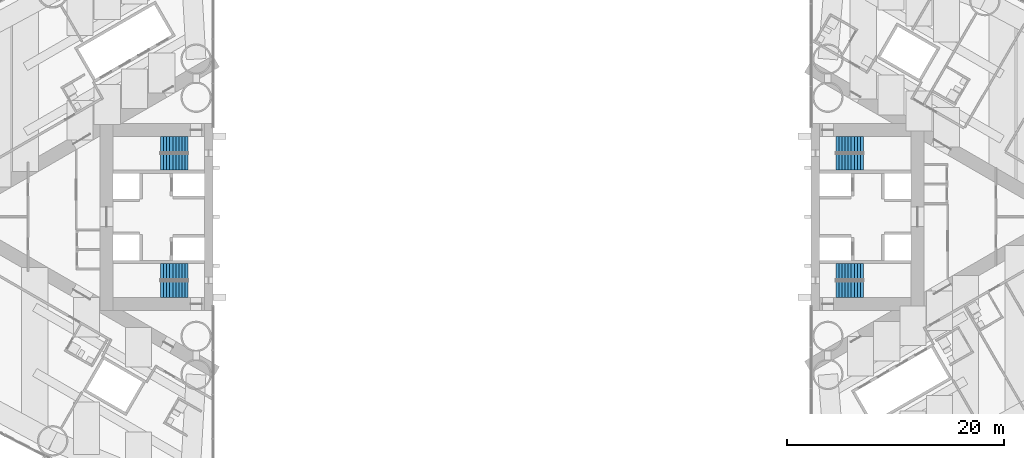
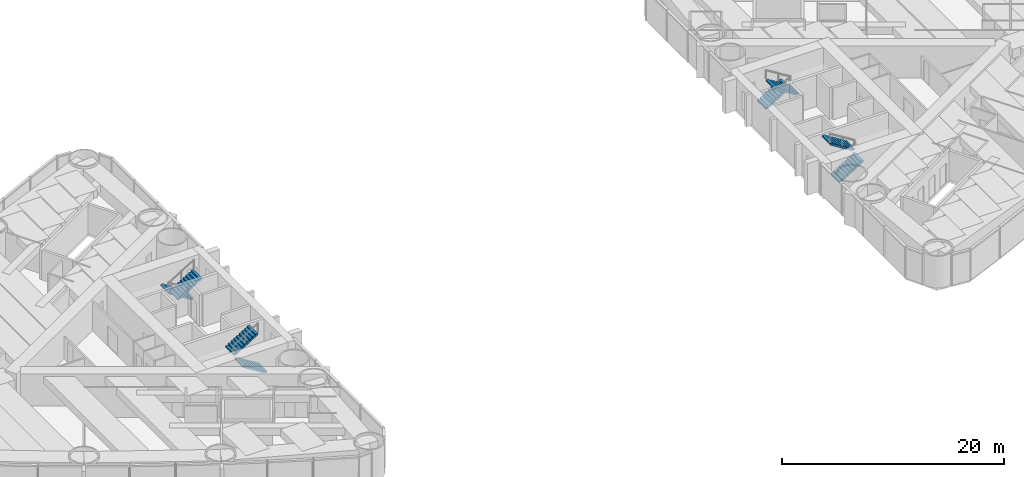
# One storey, part 16 of 18: 8 stair flights, 4 elements without a shape of their own.
"""IFC4 building model written with IfcOpenShell, lengths in metres."""

from ifc_helpers import new_model, si_unit, direction, frame, origin, place, context, subcontext, project, spatial, polyline, outline, extrude, material, type_object, element, aggregate, save


model = new_model("IFC4")

# Units and contexts
model_context = context("Model", 3, precision=1e-05, world=origin(), true_north=direction((0.0, 1.0)))
body_context = subcontext(model_context, "Body", "Model", "MODEL_VIEW")
ifc_project = project(units=[si_unit("LENGTHUNIT", "METRE"), si_unit("AREAUNIT", "SQUARE_METRE"), si_unit("VOLUMEUNIT", "CUBIC_METRE"), si_unit("PLANEANGLEUNIT", "RADIAN"), si_unit("MASSUNIT", "GRAM", prefix="KILO")], contexts=[model_context])

# Site, building, storey
site_placement = place(None, origin())
site = spatial("IfcSite", under=ifc_project, at=site_placement, CompositionType="ELEMENT")
building_placement = place(site_placement, origin())
building = spatial("IfcBuilding", under=site, at=building_placement, Name="Lancet Gate Hotel", CompositionType="ELEMENT")
storey_placement = place(building_placement, frame((0.0, 0.0, 53.0)))
storey = spatial("IfcBuildingStorey", under=building, at=storey_placement, Name="L13", CompositionType="ELEMENT", Elevation=53.0)

# Stair, stair flights
ifc_material_1 = material(Name="Exit stair 20 risers 1500")
stair_type = type_object("IfcStairType", Name="Exit stair 20 risers 1500", PredefinedType="HALF_TURN_STAIR", material=ifc_material_1)
stair_1_placement = place(storey_placement, origin())
stair_1 = element("IfcStair", 1, at=stair_1_placement, inside=storey, type_object=stair_type, Name="T1 stair 1 L13", PredefinedType="HALF_TURN_STAIR")
ifc_material_2 = material(Name="Stair flight 10 risers 175 rise 1500")
stair_flight_type = type_object("IfcStairFlightType", Name="Stair flight 10 risers 175 rise 1500", PredefinedType="STRAIGHT", material=ifc_material_2)
stair_flight_1_placement = place(storey_placement, frame((-29.800048828125, 6.64990234375, 0.0), z_axis=(0.0, 0.0, 1.0), x_axis=(-1.0, 0.0, 0.0)))
stair_flight_1 = element("IfcStairFlight", 2, at=stair_flight_1_placement, type_object=stair_flight_type, Name="ST1 flight 1", NumberOfRisers=10, NumberOfTreads=9, PredefinedType="STRAIGHT", RiserHeight=0.175, TreadLength=0.28, context=body_context, shape_type="SweptSolid", body=[
    extrude(outline(polyline([(0.0, 0.0), (0.0, 0.175048828125), (0.280029296875, 0.175048828125), (0.280029296875, 0.35009765625), (0.56005859375, 0.35009765625), (0.56005859375, 0.52490234375), (0.840087890625, 0.52490234375), (0.840087890625, 0.699951171875), (1.1201171875, 0.699951171875), (1.1201171875, 0.875), (1.39990234375, 0.875), (1.39990234375, 1.050048828125), (1.679931640625, 1.050048828125), (1.679931640625, 1.22509765625), (1.9599609375, 1.22509765625), (1.9599609375, 1.39990234375), (2.239990234375, 1.39990234375), (2.239990234375, 1.574951171875), (2.52001953125, 1.574951171875), (2.52001953125, 1.75), (2.52001953125, 1.398193359375), (0.28271484375, 0.0), (0.0, 0.0)])), frame((0.0, 0.75, 0.0), z_axis=(0.0, -1.0, 0.0), x_axis=(1.0, 0.0, 0.0)), (0.0, 0.0, 1.0), 1.5),
])
stair_flight_2_placement = place(storey_placement, frame((-32.320068359375, 5.050048828125, 1.75), z_axis=(0.0, 0.0, 1.0), x_axis=(1.0, 0.0, 0.0)))
stair_flight_2 = element("IfcStairFlight", 3, at=stair_flight_2_placement, type_object=stair_flight_type, Name="ST1 flight 2", NumberOfRisers=10, NumberOfTreads=9, PredefinedType="STRAIGHT", RiserHeight=0.175, TreadLength=0.28, context=body_context, shape_type="SweptSolid", body=[
    extrude(outline(polyline([(0.0, 0.0), (0.0, 0.175048828125), (0.280029296875, 0.175048828125), (0.280029296875, 0.35009765625), (0.56005859375, 0.35009765625), (0.56005859375, 0.52490234375), (0.840087890625, 0.52490234375), (0.840087890625, 0.699951171875), (1.1201171875, 0.699951171875), (1.1201171875, 0.875), (1.39990234375, 0.875), (1.39990234375, 1.050048828125), (1.679931640625, 1.050048828125), (1.679931640625, 1.22509765625), (1.9599609375, 1.22509765625), (1.9599609375, 1.39990234375), (2.239990234375, 1.39990234375), (2.239990234375, 1.574951171875), (2.52001953125, 1.574951171875), (2.52001953125, 1.75), (2.52001953125, 1.398193359375), (0.28271484375, 0.0), (0.0, 0.0)])), frame((0.0, 0.75, 0.0), z_axis=(0.0, -1.0, 0.0), x_axis=(1.0, 0.0, 0.0)), (0.0, 0.0, 1.0), 1.5),
])
aggregate(stair_1, [stair_flight_1, stair_flight_2])

stair_2_placement = place(storey_placement, origin())
stair_2 = element("IfcStair", 4, at=stair_2_placement, inside=storey, type_object=stair_type, Name="T1 stair 2 L13", PredefinedType="HALF_TURN_STAIR")
stair_flight_3_placement = place(storey_placement, frame((-29.800048828125, -6.64990234375, 0.0), z_axis=(0.0, 0.0, 1.0), x_axis=(-1.0, 0.0, 0.0)))
stair_flight_3 = element("IfcStairFlight", 5, at=stair_flight_3_placement, type_object=stair_flight_type, Name="ST2 flight 1", NumberOfRisers=10, NumberOfTreads=9, PredefinedType="STRAIGHT", RiserHeight=0.175, TreadLength=0.28, context=body_context, shape_type="SweptSolid", body=[
    extrude(outline(polyline([(0.0, 0.0), (0.0, 0.175048828125), (0.280029296875, 0.175048828125), (0.280029296875, 0.35009765625), (0.56005859375, 0.35009765625), (0.56005859375, 0.52490234375), (0.840087890625, 0.52490234375), (0.840087890625, 0.699951171875), (1.1201171875, 0.699951171875), (1.1201171875, 0.875), (1.39990234375, 0.875), (1.39990234375, 1.050048828125), (1.679931640625, 1.050048828125), (1.679931640625, 1.22509765625), (1.9599609375, 1.22509765625), (1.9599609375, 1.39990234375), (2.239990234375, 1.39990234375), (2.239990234375, 1.574951171875), (2.52001953125, 1.574951171875), (2.52001953125, 1.75), (2.52001953125, 1.398193359375), (0.28271484375, 0.0), (0.0, 0.0)])), frame((0.0, 0.75, 0.0), z_axis=(0.0, -1.0, 0.0), x_axis=(1.0, 0.0, 0.0)), (0.0, 0.0, 1.0), 1.5),
])
stair_flight_4_placement = place(storey_placement, frame((-32.320068359375, -5.050048828125, 1.75), z_axis=(0.0, 0.0, 1.0), x_axis=(1.0, 0.0, 0.0)))
stair_flight_4 = element("IfcStairFlight", 6, at=stair_flight_4_placement, type_object=stair_flight_type, Name="ST2 flight 2", NumberOfRisers=10, NumberOfTreads=9, PredefinedType="STRAIGHT", RiserHeight=0.175, TreadLength=0.28, context=body_context, shape_type="SweptSolid", body=[
    extrude(outline(polyline([(0.0, 0.0), (0.0, 0.175048828125), (0.280029296875, 0.175048828125), (0.280029296875, 0.35009765625), (0.56005859375, 0.35009765625), (0.56005859375, 0.52490234375), (0.840087890625, 0.52490234375), (0.840087890625, 0.699951171875), (1.1201171875, 0.699951171875), (1.1201171875, 0.875), (1.39990234375, 0.875), (1.39990234375, 1.050048828125), (1.679931640625, 1.050048828125), (1.679931640625, 1.22509765625), (1.9599609375, 1.22509765625), (1.9599609375, 1.39990234375), (2.239990234375, 1.39990234375), (2.239990234375, 1.574951171875), (2.52001953125, 1.574951171875), (2.52001953125, 1.75), (2.52001953125, 1.398193359375), (0.28271484375, 0.0), (0.0, 0.0)])), frame((0.0, 0.75, 0.0), z_axis=(0.0, -1.0, 0.0), x_axis=(1.0, 0.0, 0.0)), (0.0, 0.0, 1.0), 1.5),
])
aggregate(stair_2, [stair_flight_3, stair_flight_4])

stair_3_placement = place(storey_placement, origin())
stair_3 = element("IfcStair", 7, at=stair_3_placement, inside=storey, type_object=stair_type, Name="T2 stair 1 L13", PredefinedType="HALF_TURN_STAIR")
stair_flight_5_placement = place(storey_placement, frame((29.800048828125, -6.64990234375, 0.0), z_axis=(0.0, 0.0, 1.0), x_axis=(1.0, 0.0, 0.0)))
stair_flight_5 = element("IfcStairFlight", 8, at=stair_flight_5_placement, type_object=stair_flight_type, Name="ST3 flight 1", NumberOfRisers=10, NumberOfTreads=9, PredefinedType="STRAIGHT", RiserHeight=0.175, TreadLength=0.28, context=body_context, shape_type="SweptSolid", body=[
    extrude(outline(polyline([(0.0, 0.0), (0.0, 0.175048828125), (0.280029296875, 0.175048828125), (0.280029296875, 0.35009765625), (0.56005859375, 0.35009765625), (0.56005859375, 0.52490234375), (0.840087890625, 0.52490234375), (0.840087890625, 0.699951171875), (1.1201171875, 0.699951171875), (1.1201171875, 0.875), (1.39990234375, 0.875), (1.39990234375, 1.050048828125), (1.679931640625, 1.050048828125), (1.679931640625, 1.22509765625), (1.9599609375, 1.22509765625), (1.9599609375, 1.39990234375), (2.239990234375, 1.39990234375), (2.239990234375, 1.574951171875), (2.52001953125, 1.574951171875), (2.52001953125, 1.75), (2.52001953125, 1.398193359375), (0.28271484375, 0.0), (0.0, 0.0)])), frame((0.0, 0.75, 0.0), z_axis=(0.0, -1.0, 0.0), x_axis=(1.0, 0.0, 0.0)), (0.0, 0.0, 1.0), 1.5),
])
stair_flight_6_placement = place(storey_placement, frame((32.320068359375, -5.050048828125, 1.75), z_axis=(0.0, 0.0, 1.0), x_axis=(-1.0, 0.0, 0.0)))
stair_flight_6 = element("IfcStairFlight", 9, at=stair_flight_6_placement, type_object=stair_flight_type, Name="ST3 flight 2", NumberOfRisers=10, NumberOfTreads=9, PredefinedType="STRAIGHT", RiserHeight=0.175, TreadLength=0.28, context=body_context, shape_type="SweptSolid", body=[
    extrude(outline(polyline([(0.0, 0.0), (0.0, 0.175048828125), (0.280029296875, 0.175048828125), (0.280029296875, 0.35009765625), (0.56005859375, 0.35009765625), (0.56005859375, 0.52490234375), (0.840087890625, 0.52490234375), (0.840087890625, 0.699951171875), (1.1201171875, 0.699951171875), (1.1201171875, 0.875), (1.39990234375, 0.875), (1.39990234375, 1.050048828125), (1.679931640625, 1.050048828125), (1.679931640625, 1.22509765625), (1.9599609375, 1.22509765625), (1.9599609375, 1.39990234375), (2.239990234375, 1.39990234375), (2.239990234375, 1.574951171875), (2.52001953125, 1.574951171875), (2.52001953125, 1.75), (2.52001953125, 1.398193359375), (0.28271484375, 0.0), (0.0, 0.0)])), frame((0.0, 0.75, 0.0), z_axis=(0.0, -1.0, 0.0), x_axis=(1.0, 0.0, 0.0)), (0.0, 0.0, 1.0), 1.5),
])
aggregate(stair_3, [stair_flight_5, stair_flight_6])

stair_4_placement = place(storey_placement, origin())
stair_4 = element("IfcStair", 10, at=stair_4_placement, inside=storey, type_object=stair_type, Name="T2 stair 2 L13", PredefinedType="HALF_TURN_STAIR")
stair_flight_7_placement = place(storey_placement, frame((29.800048828125, 6.64990234375, 0.0), z_axis=(0.0, 0.0, 1.0), x_axis=(1.0, 0.0, 0.0)))
stair_flight_7 = element("IfcStairFlight", 11, at=stair_flight_7_placement, type_object=stair_flight_type, Name="ST4 flight 1", NumberOfRisers=10, NumberOfTreads=9, PredefinedType="STRAIGHT", RiserHeight=0.175, TreadLength=0.28, context=body_context, shape_type="SweptSolid", body=[
    extrude(outline(polyline([(0.0, 0.0), (0.0, 0.175048828125), (0.280029296875, 0.175048828125), (0.280029296875, 0.35009765625), (0.56005859375, 0.35009765625), (0.56005859375, 0.52490234375), (0.840087890625, 0.52490234375), (0.840087890625, 0.699951171875), (1.1201171875, 0.699951171875), (1.1201171875, 0.875), (1.39990234375, 0.875), (1.39990234375, 1.050048828125), (1.679931640625, 1.050048828125), (1.679931640625, 1.22509765625), (1.9599609375, 1.22509765625), (1.9599609375, 1.39990234375), (2.239990234375, 1.39990234375), (2.239990234375, 1.574951171875), (2.52001953125, 1.574951171875), (2.52001953125, 1.75), (2.52001953125, 1.398193359375), (0.28271484375, 0.0), (0.0, 0.0)])), frame((0.0, 0.75, 0.0), z_axis=(0.0, -1.0, 0.0), x_axis=(1.0, 0.0, 0.0)), (0.0, 0.0, 1.0), 1.5),
])
stair_flight_8_placement = place(storey_placement, frame((32.320068359375, 5.050048828125, 1.75), z_axis=(0.0, 0.0, 1.0), x_axis=(-1.0, 0.0, 0.0)))
stair_flight_8 = element("IfcStairFlight", 12, at=stair_flight_8_placement, type_object=stair_flight_type, Name="ST4 flight 2", NumberOfRisers=10, NumberOfTreads=9, PredefinedType="STRAIGHT", RiserHeight=0.175, TreadLength=0.28, context=body_context, shape_type="SweptSolid", body=[
    extrude(outline(polyline([(0.0, 0.0), (0.0, 0.175048828125), (0.280029296875, 0.175048828125), (0.280029296875, 0.35009765625), (0.56005859375, 0.35009765625), (0.56005859375, 0.52490234375), (0.840087890625, 0.52490234375), (0.840087890625, 0.699951171875), (1.1201171875, 0.699951171875), (1.1201171875, 0.875), (1.39990234375, 0.875), (1.39990234375, 1.050048828125), (1.679931640625, 1.050048828125), (1.679931640625, 1.22509765625), (1.9599609375, 1.22509765625), (1.9599609375, 1.39990234375), (2.239990234375, 1.39990234375), (2.239990234375, 1.574951171875), (2.52001953125, 1.574951171875), (2.52001953125, 1.75), (2.52001953125, 1.398193359375), (0.28271484375, 0.0), (0.0, 0.0)])), frame((0.0, 0.75, 0.0), z_axis=(0.0, -1.0, 0.0), x_axis=(1.0, 0.0, 0.0)), (0.0, 0.0, 1.0), 1.5),
])
aggregate(stair_4, [stair_flight_7, stair_flight_8])

save(model, "model.ifc")
